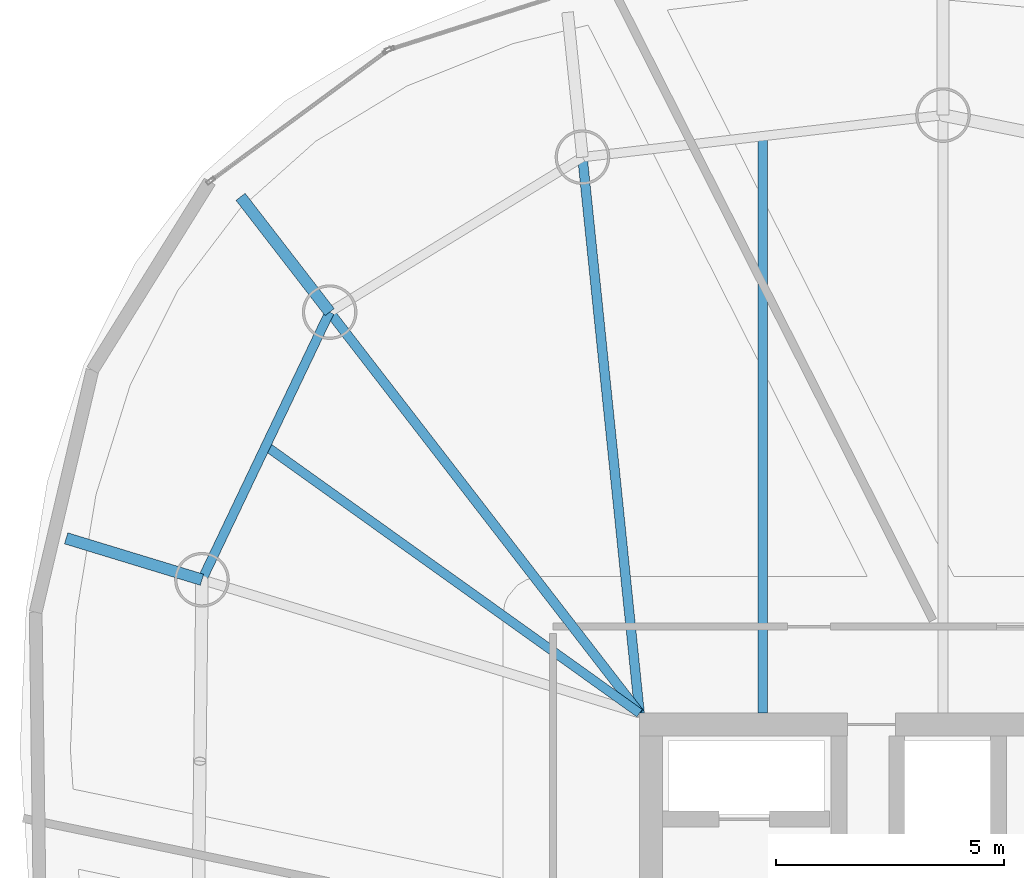
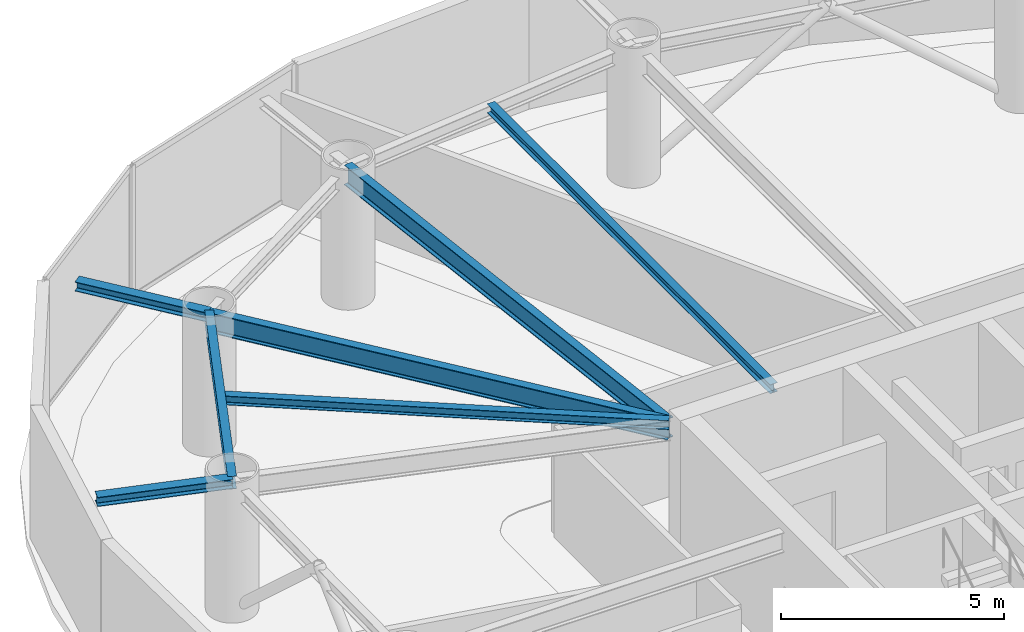
# One storey, part 9 of 20: 7 beams.
"""IFC4 building model written with IfcOpenShell, lengths in metres."""

import ifcopenshell
import ifcopenshell.guid

model = None  # the IFC model being written
_history = None  # IfcOwnerHistory: only IFC2X3 demands one
_inside = {}  # id of a spatial element -> (the spatial element, [elements in it])
_under = {}  # id of a project, library or spatial element -> (it, [spatial elements below it])
_declared = {}  # id of a project -> (the project, [libraries it declares])
_typed = {}  # id of a type object -> (the type object, [elements of that type])
_made_of = {}  # id of a material, layer set ... -> (it, [elements and type objects made of it])


def new_model(schema):
    """Start an empty IFC model of exactly this schema.

    Asked for "IFC4X3", IfcOpenShell would pick the latest addendum, in which some entities
    have other attributes; the version numbers below select the first issue.
    IFC2X3 requires an IfcOwnerHistory on every rooted entity: one is made here for all.
    """
    global model, _history
    if schema == "IFC4X3":
        model = ifcopenshell.file(schema_version=(4, 3, 0, 0))
    else:
        model = ifcopenshell.file(schema=schema)
    _inside.clear()
    _under.clear()
    _declared.clear()
    _typed.clear()
    _made_of.clear()
    _history = None
    if model.schema == "IFC2X3":
        org = make("IfcOrganization", Name="unknown")
        user = make(
            "IfcPersonAndOrganization",
            ThePerson=make("IfcPerson", FamilyName="unknown"),
            TheOrganization=org,
        )
        app = make(
            "IfcApplication",
            ApplicationDeveloper=org,
            Version="unknown",
            ApplicationFullName="unknown",
            ApplicationIdentifier="unknown",
        )
        _history = make(
            "IfcOwnerHistory",
            OwningUser=user,
            OwningApplication=app,
            ChangeAction="ADDED",
            CreationDate=0,
        )
    return model


def make(cls, **values):
    """One entity of the class cls with the attributes given. An attribute that is None is left unset."""
    return model.create_entity(
        cls, **{name: value for name, value in values.items() if value is not None}
    )


def rooted(cls, **values):
    """An entity with a GlobalId (a new one), such as an element, a storey or a relation."""
    return make(cls, GlobalId=ifcopenshell.guid.new(), OwnerHistory=_history, **values)


def si_unit(unit_type, name, prefix=None):
    """IfcSIUnit, for example si_unit("LENGTHUNIT", "METRE", prefix="MILLI")."""
    return make("IfcSIUnit", UnitType=unit_type, Prefix=prefix, Name=name)


def assignment(units):
    """IfcUnitAssignment: the units of a project."""
    return None if units is None else make("IfcUnitAssignment", Units=units)


def point(xyz):
    """IfcCartesianPoint."""
    return None if xyz is None else make("IfcCartesianPoint", Coordinates=xyz)


def direction(xyz):
    """IfcDirection."""
    return None if xyz is None else make("IfcDirection", DirectionRatios=xyz)


def frame(location, z_axis=None, x_axis=None):
    """IfcAxis2Placement3D, a coordinate frame: its origin and axes. An axis left out is left unset."""
    return make(
        "IfcAxis2Placement3D",
        Location=point(location),
        Axis=direction(z_axis),
        RefDirection=direction(x_axis),
    )


def frame_2d(location, x_axis=None):
    """IfcAxis2Placement2D, a coordinate frame in the plane: its origin and x axis."""
    return make(
        "IfcAxis2Placement2D", Location=point(location), RefDirection=direction(x_axis)
    )


def origin():
    """The frame at (0, 0, 0) with its axes left unset."""
    return frame((0.0, 0.0, 0.0))


def origin_2d():
    """The frame at (0, 0) in the plane with its x axis left unset."""
    return frame_2d((0.0, 0.0))


def place(relative_to, where):
    """IfcLocalPlacement: puts the frame where relative to a parent placement (None: the world)."""
    return make(
        "IfcLocalPlacement", PlacementRelTo=relative_to, RelativePlacement=where
    )


def context(
    kind, dimensions, precision=None, world=None, true_north=None, identifier=None
):
    """IfcGeometricRepresentationContext, for example the 3D "Model" context."""
    return make(
        "IfcGeometricRepresentationContext",
        ContextIdentifier=identifier,
        ContextType=kind,
        CoordinateSpaceDimension=dimensions,
        Precision=precision,
        WorldCoordinateSystem=world,
        TrueNorth=true_north,
    )


def subcontext(parent, identifier, kind, view, scale=None):
    """IfcGeometricRepresentationSubContext, for example "Body" below "Model"."""
    return make(
        "IfcGeometricRepresentationSubContext",
        ContextIdentifier=identifier,
        ContextType=kind,
        ParentContext=parent,
        TargetScale=scale,
        TargetView=view,
    )


def project(units=None, contexts=None):
    """IfcProject with its units and contexts."""
    return rooted(
        "IfcProject",
        Name="project",
        RepresentationContexts=contexts,
        UnitsInContext=assignment(units),
    )


def spatial(cls, under=None, at=None, **own):
    """A site, building, storey or space (cls), placed at a placement, below another one or the project."""
    s = rooted(cls, ObjectPlacement=at, **own)
    if under is not None:
        _under.setdefault(under.id(), (under, []))[1].append(s)
    return s


def profile(cls, at=None, kind="AREA", **sizes):
    """A parametric profile (cls). Its sizes go by their IFC names, for example OverallWidth=200.0."""
    return make(cls, ProfileType=kind, Position=at, **sizes)


def i_section(**sizes):
    """IfcIShapeProfileDef."""
    return profile("IfcIShapeProfileDef", **sizes)


def extrude(swept, where, along, depth):
    """IfcExtrudedAreaSolid: the profile swept, set in the frame where, extruded along a direction by depth."""
    return make(
        "IfcExtrudedAreaSolid",
        SweptArea=swept,
        Position=where,
        ExtrudedDirection=direction(along),
        Depth=depth,
    )


def shape(context_of_items, identifier, shape_type, items):
    """IfcShapeRepresentation: the items that make up one representation, for example the "Body"."""
    return make(
        "IfcShapeRepresentation",
        ContextOfItems=context_of_items,
        RepresentationIdentifier=identifier,
        RepresentationType=shape_type,
        Items=items,
    )


def material(Name=None, Category=None):
    """IfcMaterial."""
    return make("IfcMaterial", Name=Name, Category=Category)


def material_profile(
    of_material, cross_section, Name=None, Category=None, Priority=None
):
    """IfcMaterialProfile: a cross section and its material."""
    return make(
        "IfcMaterialProfile",
        Name=Name,
        Material=of_material,
        Profile=cross_section,
        Priority=Priority,
        Category=Category,
    )


def profile_set(profiles, Name=None, composite=None):
    """IfcMaterialProfileSet."""
    return make(
        "IfcMaterialProfileSet",
        Name=Name,
        MaterialProfiles=profiles,
        CompositeProfile=composite,
    )


def made_of(thing, what):
    """Note that an element or type object is made of a material, layer set ...; save() writes the relation."""
    if what is not None:
        _made_of.setdefault(what.id(), (what, []))[1].append(thing)
    return thing


def type_object(cls, material=None, **own):
    """A type object (cls), such as IfcWallType, which elements share."""
    return made_of(rooted(cls, **own), material)


def element(
    cls,
    number,
    at=None,
    inside=None,
    cuts=None,
    type_object=None,
    material=None,
    context=None,
    identifier="Body",
    shape_type=None,
    held_by="IfcProductDefinitionShape",
    body=None,
    shapes=None,
    **own,
):
    """One element of the class cls, such as IfcWall. Its Tag is "e" and its number.

    at: its placement. inside: the storey or other place that contains it. cuts: it is an
    opening in that element (IfcRelVoidsElement). A single representation is given by context,
    identifier, shape_type and body (its items); several are given by shapes. held_by: the class
    of the entity that holds the representations. save() writes the other relations.
    """
    e = rooted(cls, Tag="e%d" % number, ObjectPlacement=at, **own)
    if body is not None:
        shapes = [shape(context, identifier, shape_type, body)]
    if shapes is not None:
        e.Representation = make(held_by, Representations=shapes)
    if inside is not None:
        _inside.setdefault(inside.id(), (inside, []))[1].append(e)
    if cuts is not None:
        rooted(
            "IfcRelVoidsElement", RelatingBuildingElement=cuts, RelatedOpeningElement=e
        )
    if type_object is not None:
        _typed.setdefault(type_object.id(), (type_object, []))[1].append(e)
    return made_of(e, material)


def aggregate(whole, parts):
    """IfcRelAggregates: a whole, such as a stair, and the parts it consists of."""
    return rooted("IfcRelAggregates", RelatingObject=whole, RelatedObjects=parts)


def save(model, path):
    """Write the relations noted so far, then the file.

    IfcRelAggregates (storeys below a building ...), IfcRelContainedInSpatialStructure (elements
    in a storey), IfcRelDefinesByType, IfcRelAssociatesMaterial and IfcRelDeclares: one each for
    every whole, place, type object, material and project.
    """
    for whole, parts in _under.values():
        aggregate(whole, parts)
    for where, things in _inside.values():
        rooted(
            "IfcRelContainedInSpatialStructure",
            RelatedElements=things,
            RelatingStructure=where,
        )
    for kind, things in _typed.values():
        rooted("IfcRelDefinesByType", RelatedObjects=things, RelatingType=kind)
    for what, things in _made_of.values():
        rooted("IfcRelAssociatesMaterial", RelatedObjects=things, RelatingMaterial=what)
    for by, libraries in _declared.values():
        rooted("IfcRelDeclares", RelatingContext=by, RelatedDefinitions=libraries)
    model.write(path)


model = new_model("IFC4")

# Units and contexts
model_context = context("Model", 3, precision=1e-05, world=origin(), true_north=direction((0.0, 1.0)))
body_context = subcontext(model_context, "Body", "Model", "MODEL_VIEW")
ifc_project = project(units=[si_unit("LENGTHUNIT", "METRE"), si_unit("AREAUNIT", "SQUARE_METRE"), si_unit("VOLUMEUNIT", "CUBIC_METRE"), si_unit("PLANEANGLEUNIT", "RADIAN"), si_unit("MASSUNIT", "GRAM", prefix="KILO")], contexts=[model_context])

# Site, building, storey
site_placement = place(None, origin())
site = spatial("IfcSite", under=ifc_project, at=site_placement, CompositionType="ELEMENT")
building_placement = place(site_placement, origin())
building = spatial("IfcBuilding", under=site, at=building_placement, Name="Bramvorn Convention Spire", CompositionType="ELEMENT")
storey_placement = place(building_placement, frame((0.0, 0.0, 202.0)))
storey = spatial("IfcBuildingStorey", under=building, at=storey_placement, Name="L51", CompositionType="ELEMENT", Elevation=202.0)

# Beams
ifc_material = material(Name="Steel CSA G40.21 Grade 350 (350W)", Category="steel")
ifc_material_profile_1 = material_profile(ifc_material, i_section(OverallWidth=0.201904296875, OverallDepth=0.2470703125, WebThickness=0.00732421875, FlangeThickness=0.010986328125, FilletRadius=0.011962890625, at=origin_2d()))
ifc_profile_set_1 = profile_set([ifc_material_profile_1], Name="Steel CSA G40.21 Grade 350 (350W) - W250X49")
beam_type_1 = type_object("IfcBeamType", Name="BM-W250X49", PredefinedType="JOIST", material=ifc_profile_set_1)
beam_1_placement = place(storey_placement, frame((29.455810546875, 33.449951171875, 3.49658203125), z_axis=(0.0, 1.0, 0.0), x_axis=(-1.0, 0.0, 0.0)))
element("IfcBeam", 1, at=beam_1_placement, inside=storey, type_object=beam_type_1, Name="L51 composite floor joist 07", PredefinedType="JOIST", context=body_context, shape_type="SweptSolid", body=[
    extrude(i_section(OverallWidth=0.201904296875, OverallDepth=0.2470703125, WebThickness=0.00732421875, FlangeThickness=0.010986328125, FilletRadius=0.011962890625, at=origin_2d()), origin(), (0.0, 0.0, 1.0), 12.676025390625),
])
beam_2_placement = place(storey_placement, frame((26.75, 33.449951171875, 3.49658203125), z_axis=(-0.813471895271, 0.581604225916, 0.0), x_axis=(-0.581604225916, -0.813471895271, 0.0)))
element("IfcBeam", 2, at=beam_2_placement, inside=storey, type_object=beam_type_1, Name="L51 composite floor joist 09", PredefinedType="JOIST", context=body_context, shape_type="SweptSolid", body=[
    extrude(i_section(OverallWidth=0.201904296875, OverallDepth=0.2470703125, WebThickness=0.00732421875, FlangeThickness=0.010986328125, FilletRadius=0.011962890625, at=origin_2d()), origin(), (0.0, 0.0, 1.0), 10.093505859375),
])
ifc_material_profile_2 = material_profile(ifc_material, i_section(OverallWidth=0.25390625, OverallDepth=0.2529296875, WebThickness=0.008544921875, FlangeThickness=0.01416015625, FilletRadius=0.011962890625, at=origin_2d()))
ifc_profile_set_2 = profile_set([ifc_material_profile_2], Name="Steel CSA G40.21 Grade 350 (350W) - W250X73")
beam_type_2 = type_object("IfcBeamType", Name="BM-W250X73", PredefinedType="BEAM", material=ifc_profile_set_2)
beam_3_placement = place(storey_placement, frame((19.941650390625, 42.260009765625, 3.493408203125), z_axis=(-0.611497441422, 0.791246408607, 0.0), x_axis=(-0.791246408607, -0.611497441422, 0.0)))
element("IfcBeam", 3, at=beam_3_placement, inside=storey, type_object=beam_type_2, Name="L51 slab-edge cantilever tip beam MC09", PredefinedType="BEAM", context=body_context, shape_type="SweptSolid", body=[
    extrude(i_section(OverallWidth=0.25390625, OverallDepth=0.2529296875, WebThickness=0.008544921875, FlangeThickness=0.01416015625, FilletRadius=0.011962890625, at=origin_2d()), origin(), (0.0, 0.0, 1.0), 3.199951171875),
])
beam_4_placement = place(storey_placement, frame((17.136962890625, 36.380615234375, 3.493408203125), z_axis=(-0.956543942499, 0.291588213184, 0.0), x_axis=(-0.291588213184, -0.956543942499, 0.0)))
element("IfcBeam", 4, at=beam_4_placement, inside=storey, type_object=beam_type_2, Name="L51 slab-edge cantilever tip beam MC10", PredefinedType="BEAM", context=body_context, shape_type="SweptSolid", body=[
    extrude(i_section(OverallWidth=0.25390625, OverallDepth=0.2529296875, WebThickness=0.008544921875, FlangeThickness=0.01416015625, FilletRadius=0.011962890625, at=origin_2d()), origin(), (0.0, 0.0, 1.0), 3.11962890625),
])
ifc_material_profile_3 = material_profile(ifc_material, i_section(OverallWidth=0.205078125, OverallDepth=0.35400390625, WebThickness=0.009521484375, FlangeThickness=0.016845703125, FilletRadius=0.014892578125, at=origin_2d()))
ifc_profile_set_3 = profile_set([ifc_material_profile_3], Name="Steel CSA G40.21 Grade 350 (350W) - W360X79")
beam_type_3 = type_object("IfcBeamType", Name="BM-W360X79", PredefinedType="JOIST", material=ifc_profile_set_3)
beam_5_placement = place(storey_placement, frame((19.941650390625, 42.260009765625, 3.443115234375), z_axis=(-0.430556138422, -0.902563799223, 0.0), x_axis=(0.902563799223, -0.430556138422, 0.0)))
element("IfcBeam", 5, at=beam_5_placement, inside=storey, type_object=beam_type_3, Name="L51 mega-column ring beam 09", PredefinedType="JOIST", context=body_context, shape_type="SweptSolid", body=[
    extrude(i_section(OverallWidth=0.205078125, OverallDepth=0.35400390625, WebThickness=0.009521484375, FlangeThickness=0.016845703125, FilletRadius=0.014892578125, at=origin_2d()), origin(), (0.0, 0.0, 1.0), 6.51416015625),
])
ifc_material_profile_4 = material_profile(ifc_material, i_section(OverallWidth=0.2119140625, OverallDepth=0.5439453125, WebThickness=0.01318359375, FlangeThickness=0.021240234375, FilletRadius=0.01904296875, at=origin_2d()))
ifc_profile_set_4 = profile_set([ifc_material_profile_4], Name="Steel CSA G40.21 Grade 350 (350W) - W530X123")
beam_type_4 = type_object("IfcBeamType", Name="BM-W530X123", PredefinedType="BEAM", material=ifc_profile_set_4)
beam_6_placement = place(storey_placement, frame((26.75, 33.449951171875, 3.347900390625), z_axis=(-0.10216509146, 0.994767457292, 0.0), x_axis=(-0.994767457292, -0.10216509146, 0.0)))
element("IfcBeam", 6, at=beam_6_placement, inside=storey, type_object=beam_type_4, Name="L51 radial floor girder MC08", PredefinedType="BEAM", context=body_context, shape_type="SweptSolid", body=[
    extrude(i_section(OverallWidth=0.2119140625, OverallDepth=0.5439453125, WebThickness=0.01318359375, FlangeThickness=0.021240234375, FilletRadius=0.01904296875, at=origin_2d()), origin(), (0.0, 0.0, 1.0), 12.278076171875),
])
beam_7_placement = place(storey_placement, frame((26.75, 33.449951171875, 3.347900390625), z_axis=(-0.611479951477, 0.791259925019, 0.0), x_axis=(-0.791259925019, -0.611479951477, 0.0)))
element("IfcBeam", 7, at=beam_7_placement, inside=storey, type_object=beam_type_4, Name="L51 radial floor girder MC09", PredefinedType="BEAM", context=body_context, shape_type="SweptSolid", body=[
    extrude(i_section(OverallWidth=0.2119140625, OverallDepth=0.5439453125, WebThickness=0.01318359375, FlangeThickness=0.021240234375, FilletRadius=0.01904296875, at=origin_2d()), origin(), (0.0, 0.0, 1.0), 11.13427734375),
])

save(model, "model.ifc")
